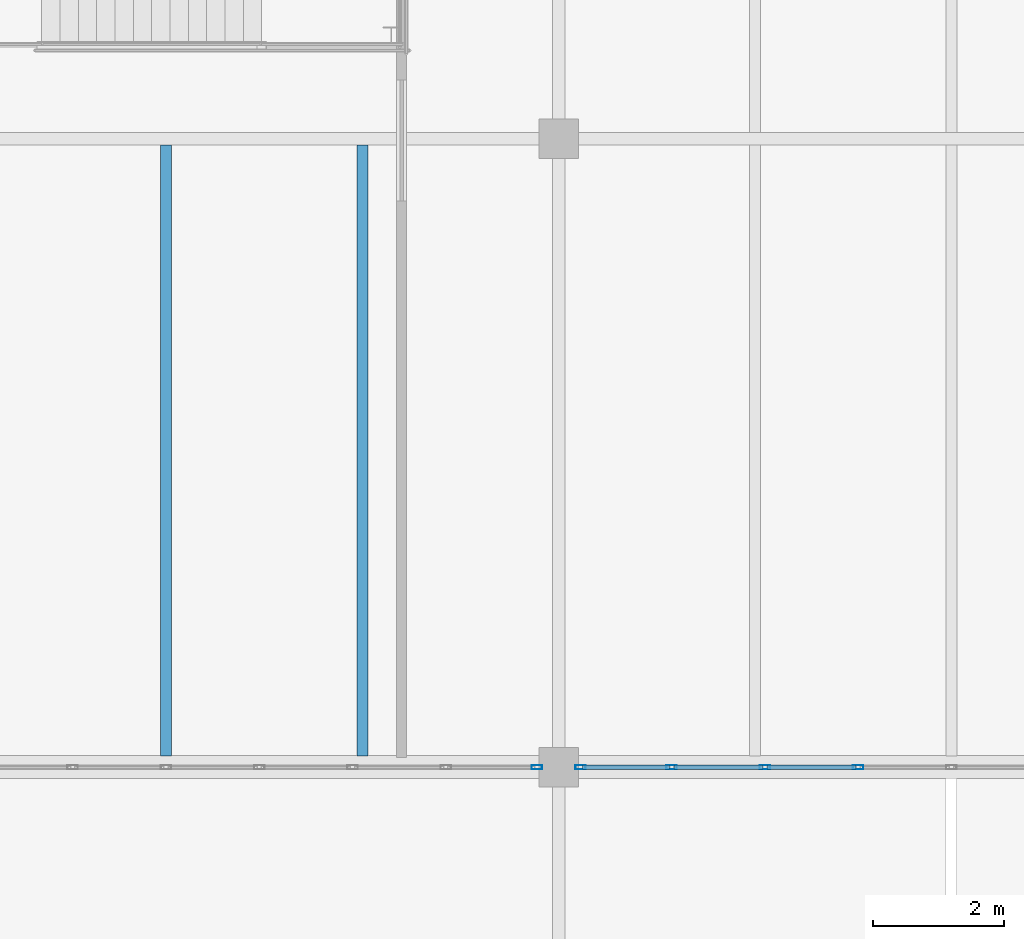
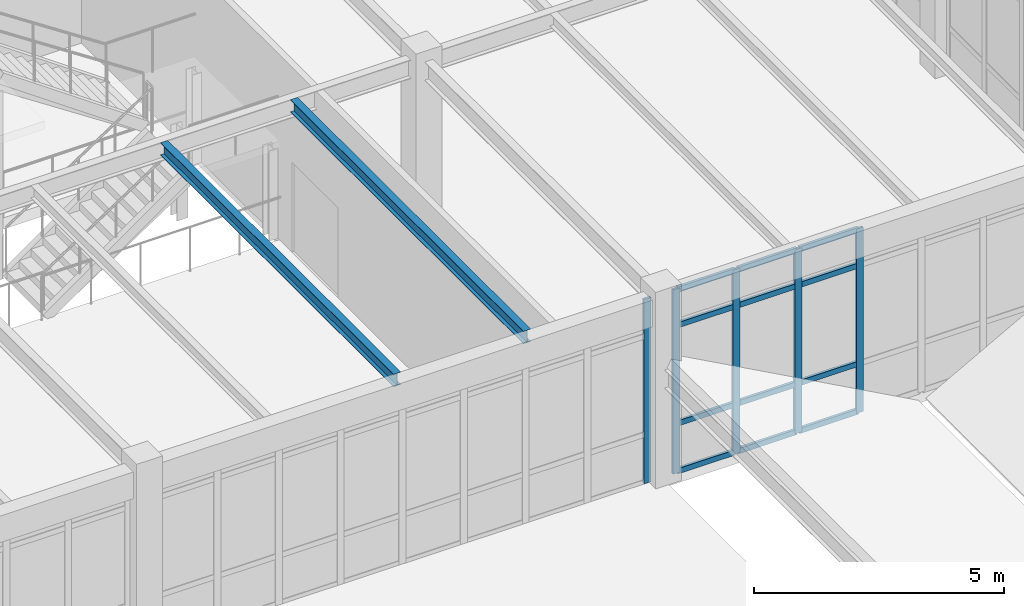
# One storey, part 121 of 236: 17 members, 2 beams, 2 elements without a shape of their own.
"""IFC4 building model written with IfcOpenShell, lengths in metres."""

from ifc_helpers import new_model, si_unit, direction, frame, origin, origin_2d, place, context, subcontext, project, spatial, hollow_rectangle, i_section, extrude, material, layer, layer_set, material_profile, profile_set, type_object, element, aggregate, save


model = new_model("IFC4")

# Units and contexts
model_context = context("Model", 3, precision=1e-05, world=origin(), true_north=direction((0.0, 1.0)))
body_context = subcontext(model_context, "Body", "Model", "MODEL_VIEW")
ifc_project = project(units=[si_unit("LENGTHUNIT", "METRE"), si_unit("AREAUNIT", "SQUARE_METRE"), si_unit("VOLUMEUNIT", "CUBIC_METRE"), si_unit("PLANEANGLEUNIT", "RADIAN"), si_unit("MASSUNIT", "GRAM", prefix="KILO")], contexts=[model_context])

# Site, building, storey
site_placement = place(None, origin())
site = spatial("IfcSite", under=ifc_project, at=site_placement, CompositionType="ELEMENT")
building_placement = place(site_placement, origin())
building = spatial("IfcBuilding", under=site, at=building_placement, Name="Pandanus Reach Market Hall", CompositionType="ELEMENT")
storey_placement = place(building_placement, frame((0.0, 0.0, 5.39990234375)))
storey = spatial("IfcBuildingStorey", under=building, at=storey_placement, Name="L01", CompositionType="ELEMENT", Elevation=5.39990234375)

# Curtain wall, member
ifc_material_1 = material(Name="Bronze anodised aluminium and low-E glass", Category="aluminium")
ifc_layer = layer(ifc_material_1, 0.159912109375, Name="CW-27")
ifc_layer_set = layer_set([ifc_layer], Name="Bronze anodised aluminium and low-E glass")
curtain_wall_type = type_object("IfcCurtainWallType", Name="CW-27", PredefinedType="NOTDEFINED", material=ifc_layer_set)
curtain_wall_1_placement = place(storey_placement, origin())
curtain_wall_1 = element("IfcCurtainWall", 1, at=curtain_wall_1_placement, inside=storey, type_object=curtain_wall_type, Name="Glazed curtain wall CW-27 CW-0083", PredefinedType="NOTDEFINED")
ifc_material_2 = material(Name="Bronze anodised aluminium", Category="aluminium")
ifc_material_profile_1 = material_profile(ifc_material_2, hollow_rectangle(XDim=0.06494140625, YDim=0.159912109375, WallThickness=0.00390625, at=origin_2d()), Name="ALU65x160", Category="LoadBearing")
ifc_profile_set_1 = profile_set([ifc_material_profile_1], Name="Bronze anodised aluminium")
member_type_1 = type_object("IfcMemberType", Name="CW-M1", PredefinedType="MULLION", material=ifc_profile_set_1)
member_1_placement = place(storey_placement, frame((167.66748046875, 9.60009765625, 0.0), z_axis=(0.0, 0.0, 1.0), x_axis=(0.0, 1.0, 0.0)))
member_1 = element("IfcMember", 2, at=member_1_placement, type_object=member_type_1, Name="CW-27 mullion 9", PredefinedType="MULLION", context=body_context, shape_type="SweptSolid", body=[
    extrude(hollow_rectangle(XDim=0.06494140625, YDim=0.159912109375, WallThickness=0.00390625, at=origin_2d()), origin(), (0.0, 0.0, 1.0), 4.5),
])
aggregate(curtain_wall_1, [member_1])

# Curtain wall, members
curtain_wall_2_placement = place(storey_placement, origin())
curtain_wall_2 = element("IfcCurtainWall", 3, at=curtain_wall_2_placement, inside=storey, type_object=curtain_wall_type, Name="Glazed curtain wall CW-27 CW-0084", PredefinedType="NOTDEFINED")
member_2_placement = place(storey_placement, frame((168.33251953125, 9.60009765625, 0.0), z_axis=(0.0, 0.0, 1.0), x_axis=(0.0, 1.0, 0.0)))
member_2 = element("IfcMember", 4, at=member_2_placement, type_object=member_type_1, Name="CW-27 mullion 1", PredefinedType="MULLION", context=body_context, shape_type="SweptSolid", body=[
    extrude(hollow_rectangle(XDim=0.06494140625, YDim=0.159912109375, WallThickness=0.00390625, at=origin_2d()), origin(), (0.0, 0.0, 1.0), 4.5),
])
member_3_placement = place(storey_placement, frame((169.72509765625, 9.60009765625, 0.0), z_axis=(0.0, 0.0, 1.0), x_axis=(0.0, 1.0, 0.0)))
member_3 = element("IfcMember", 5, at=member_3_placement, type_object=member_type_1, Name="CW-27 mullion 2", PredefinedType="MULLION", context=body_context, shape_type="SweptSolid", body=[
    extrude(hollow_rectangle(XDim=0.06494140625, YDim=0.159912109375, WallThickness=0.00390625, at=origin_2d()), origin(), (0.0, 0.0, 1.0), 4.5),
])
member_4_placement = place(storey_placement, frame((171.14990234375, 9.60009765625, 0.0), z_axis=(0.0, 0.0, 1.0), x_axis=(0.0, 1.0, 0.0)))
member_4 = element("IfcMember", 6, at=member_4_placement, type_object=member_type_1, Name="CW-27 mullion 3", PredefinedType="MULLION", context=body_context, shape_type="SweptSolid", body=[
    extrude(hollow_rectangle(XDim=0.06494140625, YDim=0.159912109375, WallThickness=0.00390625, at=origin_2d()), origin(), (0.0, 0.0, 1.0), 4.5),
])
member_5_placement = place(storey_placement, frame((172.574951171875, 9.60009765625, 0.0), z_axis=(0.0, 0.0, 1.0), x_axis=(0.0, 1.0, 0.0)))
member_5 = element("IfcMember", 7, at=member_5_placement, type_object=member_type_1, Name="CW-27 mullion 4", PredefinedType="MULLION", context=body_context, shape_type="SweptSolid", body=[
    extrude(hollow_rectangle(XDim=0.06494140625, YDim=0.159912109375, WallThickness=0.00390625, at=origin_2d()), origin(), (0.0, 0.0, 1.0), 4.5),
])
ifc_material_profile_2 = material_profile(ifc_material_2, hollow_rectangle(XDim=0.06494140625, YDim=0.1298828125, WallThickness=0.00390625, at=origin_2d()), Name="ALU65x130", Category="LoadBearing")
ifc_profile_set_2 = profile_set([ifc_material_profile_2], Name="Bronze anodised aluminium")
member_type_2 = type_object("IfcMemberType", Name="CW-T1", PredefinedType="USERDEFINED", material=ifc_profile_set_2)
member_6_placement = place(storey_placement, frame((168.364990234375, 9.60009765625, 0.03271484375), z_axis=(1.0, 0.0, 0.0), x_axis=(0.0, 1.0, 0.0)))
member_6 = element("IfcMember", 8, at=member_6_placement, type_object=member_type_2, Name="CW-27 transom 1.1", ObjectType="TRANSOM", PredefinedType="USERDEFINED", context=body_context, shape_type="SweptSolid", body=[
    extrude(hollow_rectangle(XDim=0.06494140625, YDim=0.1298828125, WallThickness=0.00390625, at=origin_2d()), origin(), (0.0, 0.0, 1.0), 1.327392578125),
])
member_7_placement = place(storey_placement, frame((168.364990234375, 9.60009765625, 1.2001953125), z_axis=(1.0, 0.0, 0.0), x_axis=(0.0, 1.0, 0.0)))
member_7 = element("IfcMember", 9, at=member_7_placement, type_object=member_type_2, Name="CW-27 transom 1.2", ObjectType="TRANSOM", PredefinedType="USERDEFINED", context=body_context, shape_type="SweptSolid", body=[
    extrude(hollow_rectangle(XDim=0.06494140625, YDim=0.1298828125, WallThickness=0.00390625, at=origin_2d()), origin(), (0.0, 0.0, 1.0), 1.327392578125),
])
member_8_placement = place(storey_placement, frame((168.364990234375, 9.60009765625, 3.60009765625), z_axis=(1.0, 0.0, 0.0), x_axis=(0.0, 1.0, 0.0)))
member_8 = element("IfcMember", 10, at=member_8_placement, type_object=member_type_2, Name="CW-27 transom 1.3", ObjectType="TRANSOM", PredefinedType="USERDEFINED", context=body_context, shape_type="SweptSolid", body=[
    extrude(hollow_rectangle(XDim=0.06494140625, YDim=0.1298828125, WallThickness=0.00390625, at=origin_2d()), origin(), (0.0, 0.0, 1.0), 1.327392578125),
])
member_9_placement = place(storey_placement, frame((168.364990234375, 9.60009765625, 4.467529296875), z_axis=(1.0, 0.0, 0.0), x_axis=(0.0, 1.0, 0.0)))
member_9 = element("IfcMember", 11, at=member_9_placement, type_object=member_type_2, Name="CW-27 transom 1.4", ObjectType="TRANSOM", PredefinedType="USERDEFINED", context=body_context, shape_type="SweptSolid", body=[
    extrude(hollow_rectangle(XDim=0.06494140625, YDim=0.1298828125, WallThickness=0.00390625, at=origin_2d()), origin(), (0.0, 0.0, 1.0), 1.327392578125),
])
member_10_placement = place(storey_placement, frame((169.757568359375, 9.60009765625, 0.03271484375), z_axis=(1.0, 0.0, 0.0), x_axis=(0.0, 1.0, 0.0)))
member_10 = element("IfcMember", 12, at=member_10_placement, type_object=member_type_2, Name="CW-27 transom 2.1", ObjectType="TRANSOM", PredefinedType="USERDEFINED", context=body_context, shape_type="SweptSolid", body=[
    extrude(hollow_rectangle(XDim=0.06494140625, YDim=0.1298828125, WallThickness=0.00390625, at=origin_2d()), origin(), (0.0, 0.0, 1.0), 1.35986328125),
])
member_11_placement = place(storey_placement, frame((169.757568359375, 9.60009765625, 1.2001953125), z_axis=(1.0, 0.0, 0.0), x_axis=(0.0, 1.0, 0.0)))
member_11 = element("IfcMember", 13, at=member_11_placement, type_object=member_type_2, Name="CW-27 transom 2.2", ObjectType="TRANSOM", PredefinedType="USERDEFINED", context=body_context, shape_type="SweptSolid", body=[
    extrude(hollow_rectangle(XDim=0.06494140625, YDim=0.1298828125, WallThickness=0.00390625, at=origin_2d()), origin(), (0.0, 0.0, 1.0), 1.35986328125),
])
member_12_placement = place(storey_placement, frame((169.757568359375, 9.60009765625, 3.60009765625), z_axis=(1.0, 0.0, 0.0), x_axis=(0.0, 1.0, 0.0)))
member_12 = element("IfcMember", 14, at=member_12_placement, type_object=member_type_2, Name="CW-27 transom 2.3", ObjectType="TRANSOM", PredefinedType="USERDEFINED", context=body_context, shape_type="SweptSolid", body=[
    extrude(hollow_rectangle(XDim=0.06494140625, YDim=0.1298828125, WallThickness=0.00390625, at=origin_2d()), origin(), (0.0, 0.0, 1.0), 1.35986328125),
])
member_13_placement = place(storey_placement, frame((169.757568359375, 9.60009765625, 4.467529296875), z_axis=(1.0, 0.0, 0.0), x_axis=(0.0, 1.0, 0.0)))
member_13 = element("IfcMember", 15, at=member_13_placement, type_object=member_type_2, Name="CW-27 transom 2.4", ObjectType="TRANSOM", PredefinedType="USERDEFINED", context=body_context, shape_type="SweptSolid", body=[
    extrude(hollow_rectangle(XDim=0.06494140625, YDim=0.1298828125, WallThickness=0.00390625, at=origin_2d()), origin(), (0.0, 0.0, 1.0), 1.35986328125),
])
member_14_placement = place(storey_placement, frame((171.1826171875, 9.60009765625, 0.03271484375), z_axis=(1.0, 0.0, 0.0), x_axis=(0.0, 1.0, 0.0)))
member_14 = element("IfcMember", 16, at=member_14_placement, type_object=member_type_2, Name="CW-27 transom 3.1", ObjectType="TRANSOM", PredefinedType="USERDEFINED", context=body_context, shape_type="SweptSolid", body=[
    extrude(hollow_rectangle(XDim=0.06494140625, YDim=0.1298828125, WallThickness=0.00390625, at=origin_2d()), origin(), (0.0, 0.0, 1.0), 1.35986328125),
])
member_15_placement = place(storey_placement, frame((171.1826171875, 9.60009765625, 1.2001953125), z_axis=(1.0, 0.0, 0.0), x_axis=(0.0, 1.0, 0.0)))
member_15 = element("IfcMember", 17, at=member_15_placement, type_object=member_type_2, Name="CW-27 transom 3.2", ObjectType="TRANSOM", PredefinedType="USERDEFINED", context=body_context, shape_type="SweptSolid", body=[
    extrude(hollow_rectangle(XDim=0.06494140625, YDim=0.1298828125, WallThickness=0.00390625, at=origin_2d()), origin(), (0.0, 0.0, 1.0), 1.35986328125),
])
member_16_placement = place(storey_placement, frame((171.1826171875, 9.60009765625, 3.60009765625), z_axis=(1.0, 0.0, 0.0), x_axis=(0.0, 1.0, 0.0)))
member_16 = element("IfcMember", 18, at=member_16_placement, type_object=member_type_2, Name="CW-27 transom 3.3", ObjectType="TRANSOM", PredefinedType="USERDEFINED", context=body_context, shape_type="SweptSolid", body=[
    extrude(hollow_rectangle(XDim=0.06494140625, YDim=0.1298828125, WallThickness=0.00390625, at=origin_2d()), origin(), (0.0, 0.0, 1.0), 1.35986328125),
])
member_17_placement = place(storey_placement, frame((171.1826171875, 9.60009765625, 4.467529296875), z_axis=(1.0, 0.0, 0.0), x_axis=(0.0, 1.0, 0.0)))
member_17 = element("IfcMember", 19, at=member_17_placement, type_object=member_type_2, Name="CW-27 transom 3.4", ObjectType="TRANSOM", PredefinedType="USERDEFINED", context=body_context, shape_type="SweptSolid", body=[
    extrude(hollow_rectangle(XDim=0.06494140625, YDim=0.1298828125, WallThickness=0.00390625, at=origin_2d()), origin(), (0.0, 0.0, 1.0), 1.35986328125),
])
aggregate(curtain_wall_2, [member_2, member_3, member_4, member_5, member_6, member_7, member_8, member_9, member_10, member_11, member_12, member_13, member_14, member_15, member_16, member_17])

# Beams
ifc_material_3 = material(Name="Steel Grade 350 (350 MPa)", Category="steel")
ifc_material_profile_3 = material_profile(ifc_material_3, i_section(OverallWidth=0.166015625, OverallDepth=0.306884765625, WebThickness=0.006591796875, FlangeThickness=0.01171875, at=origin_2d()), Name="310UB46.2", Category="LoadBearing")
ifc_profile_set_3 = profile_set([ifc_material_profile_3], Name="Steel Grade 350 (350 MPa)")
beam_type = type_object("IfcBeamType", Name="JS-UB310H-I", PredefinedType="JOIST", material=ifc_profile_set_3)
for number, where, z_axis, x_axis, name in (
    (20, (162.0, 9.77294921875, 4.38623046875), (0.0, 1.0, 0.0), (-1.0, 0.0, 0.0), "Secondary joist JS-UB310H-I L01.397"),
    (21, (165.0, 9.77294921875, 4.38623046875), (0.0, 1.0, 0.0), (-1.0, 0.0, 0.0), "Secondary joist JS-UB310H-I L01.398"),
):
    element("IfcBeam", number, at=place(storey_placement, frame(where, z_axis=z_axis, x_axis=x_axis)), inside=storey, type_object=beam_type, Name=name, PredefinedType="JOIST", context=body_context, shape_type="SweptSolid", body=[
        extrude(i_section(OverallWidth=0.166015625, OverallDepth=0.306884765625, WebThickness=0.006591796875, FlangeThickness=0.01171875, at=origin_2d()), origin(), (0.0, 0.0, 1.0), 9.333984375),
    ])

save(model, "model.ifc")
